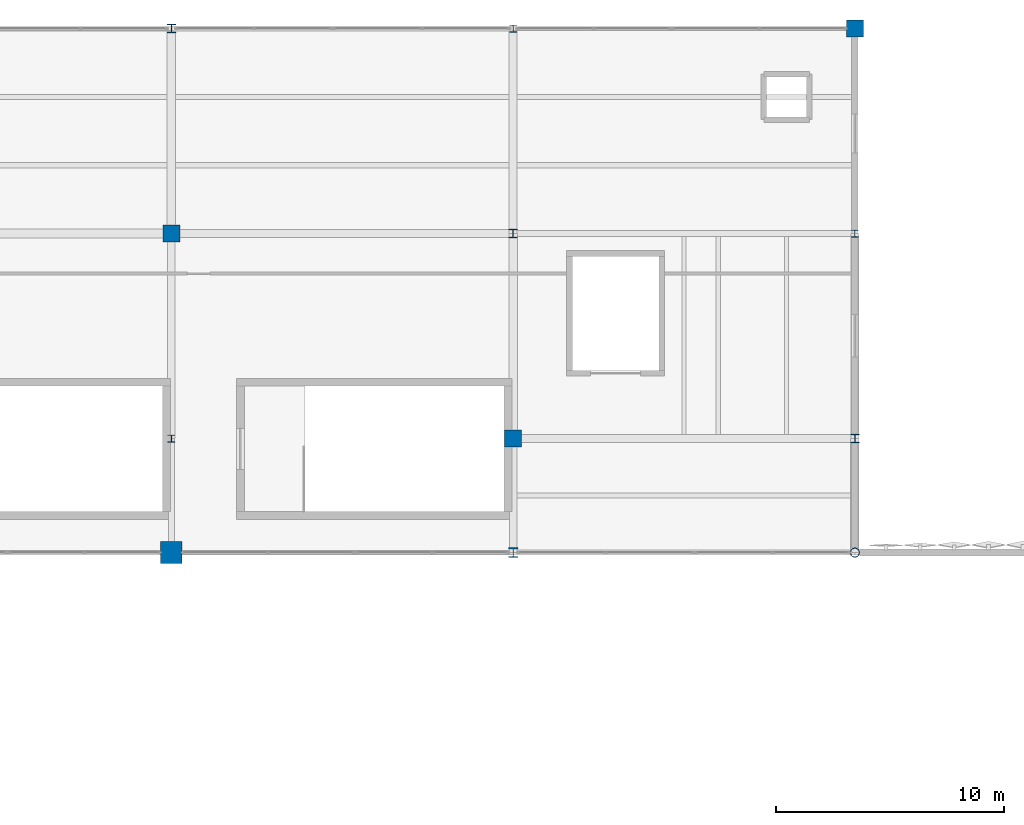
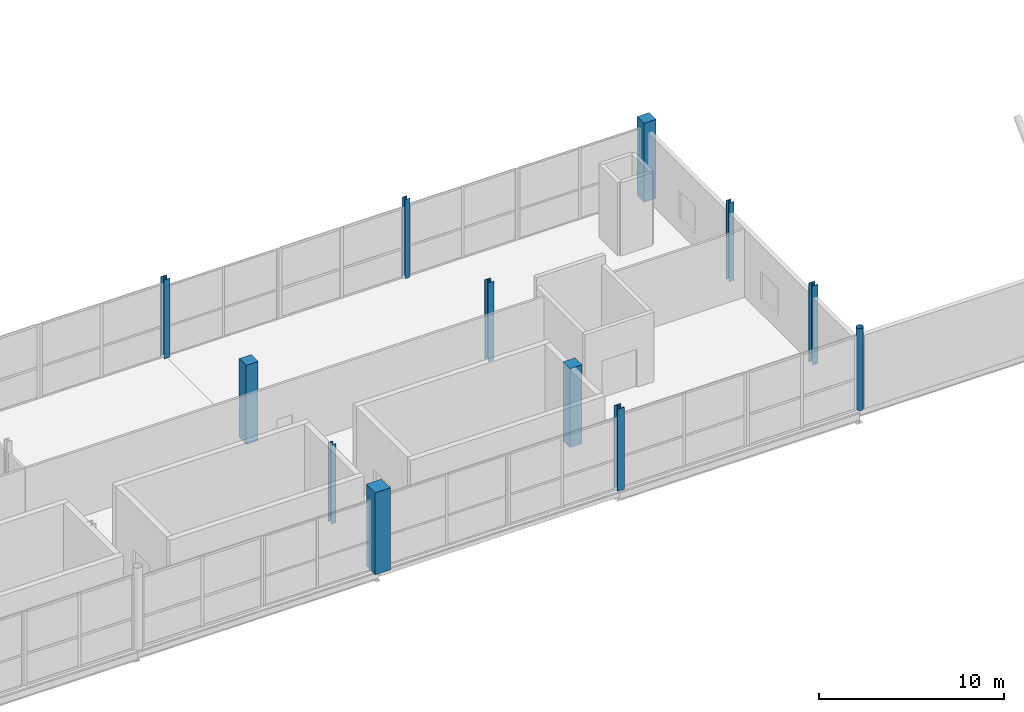
# One storey, part 9 of 119: 12 columns.
"""IFC4 building model written with IfcOpenShell, lengths in metres."""

import ifcopenshell
import ifcopenshell.guid

model = None  # the IFC model being written
_history = None  # IfcOwnerHistory: only IFC2X3 demands one
_inside = {}  # id of a spatial element -> (the spatial element, [elements in it])
_under = {}  # id of a project, library or spatial element -> (it, [spatial elements below it])
_declared = {}  # id of a project -> (the project, [libraries it declares])
_typed = {}  # id of a type object -> (the type object, [elements of that type])
_made_of = {}  # id of a material, layer set ... -> (it, [elements and type objects made of it])


def new_model(schema):
    """Start an empty IFC model of exactly this schema.

    Asked for "IFC4X3", IfcOpenShell would pick the latest addendum, in which some entities
    have other attributes; the version numbers below select the first issue.
    IFC2X3 requires an IfcOwnerHistory on every rooted entity: one is made here for all.
    """
    global model, _history
    if schema == "IFC4X3":
        model = ifcopenshell.file(schema_version=(4, 3, 0, 0))
    else:
        model = ifcopenshell.file(schema=schema)
    _inside.clear()
    _under.clear()
    _declared.clear()
    _typed.clear()
    _made_of.clear()
    _history = None
    if model.schema == "IFC2X3":
        org = make("IfcOrganization", Name="unknown")
        user = make(
            "IfcPersonAndOrganization",
            ThePerson=make("IfcPerson", FamilyName="unknown"),
            TheOrganization=org,
        )
        app = make(
            "IfcApplication",
            ApplicationDeveloper=org,
            Version="unknown",
            ApplicationFullName="unknown",
            ApplicationIdentifier="unknown",
        )
        _history = make(
            "IfcOwnerHistory",
            OwningUser=user,
            OwningApplication=app,
            ChangeAction="ADDED",
            CreationDate=0,
        )
    return model


def make(cls, **values):
    """One entity of the class cls with the attributes given. An attribute that is None is left unset."""
    return model.create_entity(
        cls, **{name: value for name, value in values.items() if value is not None}
    )


def rooted(cls, **values):
    """An entity with a GlobalId (a new one), such as an element, a storey or a relation."""
    return make(cls, GlobalId=ifcopenshell.guid.new(), OwnerHistory=_history, **values)


def si_unit(unit_type, name, prefix=None):
    """IfcSIUnit, for example si_unit("LENGTHUNIT", "METRE", prefix="MILLI")."""
    return make("IfcSIUnit", UnitType=unit_type, Prefix=prefix, Name=name)


def assignment(units):
    """IfcUnitAssignment: the units of a project."""
    return None if units is None else make("IfcUnitAssignment", Units=units)


def point(xyz):
    """IfcCartesianPoint."""
    return None if xyz is None else make("IfcCartesianPoint", Coordinates=xyz)


def direction(xyz):
    """IfcDirection."""
    return None if xyz is None else make("IfcDirection", DirectionRatios=xyz)


def frame(location, z_axis=None, x_axis=None):
    """IfcAxis2Placement3D, a coordinate frame: its origin and axes. An axis left out is left unset."""
    return make(
        "IfcAxis2Placement3D",
        Location=point(location),
        Axis=direction(z_axis),
        RefDirection=direction(x_axis),
    )


def frame_2d(location, x_axis=None):
    """IfcAxis2Placement2D, a coordinate frame in the plane: its origin and x axis."""
    return make(
        "IfcAxis2Placement2D", Location=point(location), RefDirection=direction(x_axis)
    )


def origin():
    """The frame at (0, 0, 0) with its axes left unset."""
    return frame((0.0, 0.0, 0.0))


def origin_2d():
    """The frame at (0, 0) in the plane with its x axis left unset."""
    return frame_2d((0.0, 0.0))


def place(relative_to, where):
    """IfcLocalPlacement: puts the frame where relative to a parent placement (None: the world)."""
    return make(
        "IfcLocalPlacement", PlacementRelTo=relative_to, RelativePlacement=where
    )


def context(
    kind, dimensions, precision=None, world=None, true_north=None, identifier=None
):
    """IfcGeometricRepresentationContext, for example the 3D "Model" context."""
    return make(
        "IfcGeometricRepresentationContext",
        ContextIdentifier=identifier,
        ContextType=kind,
        CoordinateSpaceDimension=dimensions,
        Precision=precision,
        WorldCoordinateSystem=world,
        TrueNorth=true_north,
    )


def subcontext(parent, identifier, kind, view, scale=None):
    """IfcGeometricRepresentationSubContext, for example "Body" below "Model"."""
    return make(
        "IfcGeometricRepresentationSubContext",
        ContextIdentifier=identifier,
        ContextType=kind,
        ParentContext=parent,
        TargetScale=scale,
        TargetView=view,
    )


def project(units=None, contexts=None):
    """IfcProject with its units and contexts."""
    return rooted(
        "IfcProject",
        Name="project",
        RepresentationContexts=contexts,
        UnitsInContext=assignment(units),
    )


def spatial(cls, under=None, at=None, **own):
    """A site, building, storey or space (cls), placed at a placement, below another one or the project."""
    s = rooted(cls, ObjectPlacement=at, **own)
    if under is not None:
        _under.setdefault(under.id(), (under, []))[1].append(s)
    return s


def profile(cls, at=None, kind="AREA", **sizes):
    """A parametric profile (cls). Its sizes go by their IFC names, for example OverallWidth=200.0."""
    return make(cls, ProfileType=kind, Position=at, **sizes)


def rectangle(**sizes):
    """IfcRectangleProfileDef."""
    return profile("IfcRectangleProfileDef", **sizes)


def hollow_circle(**sizes):
    """IfcCircleHollowProfileDef."""
    return profile("IfcCircleHollowProfileDef", **sizes)


def i_section(**sizes):
    """IfcIShapeProfileDef."""
    return profile("IfcIShapeProfileDef", **sizes)


def extrude(swept, where, along, depth):
    """IfcExtrudedAreaSolid: the profile swept, set in the frame where, extruded along a direction by depth."""
    return make(
        "IfcExtrudedAreaSolid",
        SweptArea=swept,
        Position=where,
        ExtrudedDirection=direction(along),
        Depth=depth,
    )


def shape(context_of_items, identifier, shape_type, items):
    """IfcShapeRepresentation: the items that make up one representation, for example the "Body"."""
    return make(
        "IfcShapeRepresentation",
        ContextOfItems=context_of_items,
        RepresentationIdentifier=identifier,
        RepresentationType=shape_type,
        Items=items,
    )


def material(Name=None, Category=None):
    """IfcMaterial."""
    return make("IfcMaterial", Name=Name, Category=Category)


def material_profile(
    of_material, cross_section, Name=None, Category=None, Priority=None
):
    """IfcMaterialProfile: a cross section and its material."""
    return make(
        "IfcMaterialProfile",
        Name=Name,
        Material=of_material,
        Profile=cross_section,
        Priority=Priority,
        Category=Category,
    )


def profile_set(profiles, Name=None, composite=None):
    """IfcMaterialProfileSet."""
    return make(
        "IfcMaterialProfileSet",
        Name=Name,
        MaterialProfiles=profiles,
        CompositeProfile=composite,
    )


def made_of(thing, what):
    """Note that an element or type object is made of a material, layer set ...; save() writes the relation."""
    if what is not None:
        _made_of.setdefault(what.id(), (what, []))[1].append(thing)
    return thing


def type_object(cls, material=None, **own):
    """A type object (cls), such as IfcWallType, which elements share."""
    return made_of(rooted(cls, **own), material)


def element(
    cls,
    number,
    at=None,
    inside=None,
    cuts=None,
    type_object=None,
    material=None,
    context=None,
    identifier="Body",
    shape_type=None,
    held_by="IfcProductDefinitionShape",
    body=None,
    shapes=None,
    **own,
):
    """One element of the class cls, such as IfcWall. Its Tag is "e" and its number.

    at: its placement. inside: the storey or other place that contains it. cuts: it is an
    opening in that element (IfcRelVoidsElement). A single representation is given by context,
    identifier, shape_type and body (its items); several are given by shapes. held_by: the class
    of the entity that holds the representations. save() writes the other relations.
    """
    e = rooted(cls, Tag="e%d" % number, ObjectPlacement=at, **own)
    if body is not None:
        shapes = [shape(context, identifier, shape_type, body)]
    if shapes is not None:
        e.Representation = make(held_by, Representations=shapes)
    if inside is not None:
        _inside.setdefault(inside.id(), (inside, []))[1].append(e)
    if cuts is not None:
        rooted(
            "IfcRelVoidsElement", RelatingBuildingElement=cuts, RelatedOpeningElement=e
        )
    if type_object is not None:
        _typed.setdefault(type_object.id(), (type_object, []))[1].append(e)
    return made_of(e, material)


def aggregate(whole, parts):
    """IfcRelAggregates: a whole, such as a stair, and the parts it consists of."""
    return rooted("IfcRelAggregates", RelatingObject=whole, RelatedObjects=parts)


def save(model, path):
    """Write the relations noted so far, then the file.

    IfcRelAggregates (storeys below a building ...), IfcRelContainedInSpatialStructure (elements
    in a storey), IfcRelDefinesByType, IfcRelAssociatesMaterial and IfcRelDeclares: one each for
    every whole, place, type object, material and project.
    """
    for whole, parts in _under.values():
        aggregate(whole, parts)
    for where, things in _inside.values():
        rooted(
            "IfcRelContainedInSpatialStructure",
            RelatedElements=things,
            RelatingStructure=where,
        )
    for kind, things in _typed.values():
        rooted("IfcRelDefinesByType", RelatedObjects=things, RelatingType=kind)
    for what, things in _made_of.values():
        rooted("IfcRelAssociatesMaterial", RelatedObjects=things, RelatingMaterial=what)
    for by, libraries in _declared.values():
        rooted("IfcRelDeclares", RelatingContext=by, RelatedDefinitions=libraries)
    model.write(path)


model = new_model("IFC4")

# Units and contexts
model_context = context("Model", 3, precision=1e-05, world=origin(), true_north=direction((0.0, 1.0)))
body_context = subcontext(model_context, "Body", "Model", "MODEL_VIEW")
ifc_project = project(units=[si_unit("LENGTHUNIT", "METRE"), si_unit("AREAUNIT", "SQUARE_METRE"), si_unit("VOLUMEUNIT", "CUBIC_METRE"), si_unit("PLANEANGLEUNIT", "RADIAN"), si_unit("MASSUNIT", "GRAM", prefix="KILO")], contexts=[model_context])

# Site, building, storey
site_placement = place(None, origin())
site = spatial("IfcSite", under=ifc_project, at=site_placement, CompositionType="ELEMENT")
building_placement = place(site_placement, origin())
building = spatial("IfcBuilding", under=site, at=building_placement, Name="Qamarlyn Nura Convention Centre", CompositionType="ELEMENT")
storey_placement = place(building_placement, frame((0.0, 0.0, 5.39990234375)))
storey = spatial("IfcBuildingStorey", under=building, at=storey_placement, Name="L01", CompositionType="ELEMENT", Elevation=5.39990234375)

# Columns
ifc_material_1 = material(Name="Concrete C50/60", Category="concrete")
ifc_material_profile_1 = material_profile(ifc_material_1, rectangle(XDim=0.949951171875, YDim=0.949951171875, at=origin_2d()), Name="RC 950x950")
ifc_profile_set_1 = profile_set([ifc_material_profile_1], Name="Concrete C50/60")
column_type_1 = type_object("IfcColumnType", Name="COL-HALL-2", PredefinedType="COLUMN", material=ifc_profile_set_1)
column_1_placement = place(storey_placement, frame((60.0, 103.0, 0.0), z_axis=(0.0, 0.0, 1.0), x_axis=(1.0, 0.0, 0.0)))
element("IfcColumn", 1, at=column_1_placement, inside=storey, type_object=column_type_1, Name="L01 column 5/M", PredefinedType="COLUMN", context=body_context, shape_type="SweptSolid", body=[
    extrude(rectangle(XDim=0.949951171875, YDim=0.949951171875, at=origin_2d()), origin(), (0.0, 0.0, 1.0), 5.400146484375),
])
ifc_material_2 = material(Name="Steel ASTM A992", Category="steel")
ifc_material_profile_2 = material_profile(ifc_material_2, i_section(OverallWidth=0.408935546875, OverallDepth=0.425048828125, WebThickness=0.030517578125, FlangeThickness=0.049072265625, FilletRadius=0.02001953125, at=origin_2d()), Name="W360X421")
ifc_profile_set_2 = profile_set([ifc_material_profile_2], Name="Steel ASTM A992")
column_type_2 = type_object("IfcColumnType", Name="COL-MEGA-1", PredefinedType="COLUMN", material=ifc_profile_set_2)
column_2_placement = place(storey_placement, frame((75.0, 103.0, 0.0), z_axis=(0.0, 0.0, 1.0), x_axis=(1.0, 0.0, 0.0)))
element("IfcColumn", 2, at=column_2_placement, inside=storey, type_object=column_type_2, Name="L01 column 6/M", PredefinedType="COLUMN", context=body_context, shape_type="SweptSolid", body=[
    extrude(i_section(OverallWidth=0.408935546875, OverallDepth=0.425048828125, WebThickness=0.030517578125, FlangeThickness=0.049072265625, FilletRadius=0.02001953125, at=origin_2d()), origin(), (0.0, 0.0, 1.0), 5.400146484375),
])
ifc_material_profile_3 = material_profile(ifc_material_1, rectangle(XDim=0.75, YDim=0.75, at=origin_2d()), Name="RC 750x750")
ifc_profile_set_3 = profile_set([ifc_material_profile_3], Name="Concrete C50/60")
column_type_3 = type_object("IfcColumnType", Name="COL-SUB-2", PredefinedType="COLUMN", material=ifc_profile_set_3)
for number, where, z_axis, x_axis, name in (
    (3, (60.0, 117.0, 0.0), (0.0, 0.0, 1.0), (1.0, 0.0, 0.0), "L01 column 5/P"),
    (4, (75.0, 108.0, 0.0), (0.0, 0.0, 1.0), (1.0, 0.0, 0.0), "L01 column 6/N"),
    (5, (90.0, 126.0, 0.0), (0.0, 0.0, 1.0), (1.0, 0.0, 0.0), "L01 column 7/Q"),
):
    element("IfcColumn", number, at=place(storey_placement, frame(where, z_axis=z_axis, x_axis=x_axis)), inside=storey, type_object=column_type_3, Name=name, PredefinedType="COLUMN", context=body_context, shape_type="SweptSolid", body=[
        extrude(rectangle(XDim=0.75, YDim=0.75, at=origin_2d()), origin(), (0.0, 0.0, 1.0), 5.205078125),
    ])
ifc_material_3 = material(Name="Pearl-white PVDF steel ASTM A500 Grade C", Category="steel")
ifc_material_profile_4 = material_profile(ifc_material_3, hollow_circle(Radius=0.203125, WallThickness=0.01611328125, at=origin_2d()), Name="CHS406.4X16")
ifc_profile_set_4 = profile_set([ifc_material_profile_4], Name="Pearl-white PVDF steel ASTM A500 Grade C")
column_type_4 = type_object("IfcColumnType", Name="COL-TUBE-1", PredefinedType="COLUMN", material=ifc_profile_set_4)
column_3_placement = place(storey_placement, frame((90.0, 103.0, 0.0), z_axis=(0.0, 0.0, 1.0), x_axis=(1.0, 0.0, 0.0)))
element("IfcColumn", 6, at=column_3_placement, inside=storey, type_object=column_type_4, Name="L01 column 7/M", PredefinedType="COLUMN", context=body_context, shape_type="SweptSolid", body=[
    extrude(hollow_circle(Radius=0.203125, WallThickness=0.01611328125, at=origin_2d()), origin(), (0.0, 0.0, 1.0), 5.400146484375),
])
ifc_material_profile_5 = material_profile(ifc_material_2, i_section(OverallWidth=0.3740234375, OverallDepth=0.3720703125, WebThickness=0.016357421875, FlangeThickness=0.026123046875, FilletRadius=0.01611328125, at=origin_2d()), Name="W360X196")
ifc_profile_set_5 = profile_set([ifc_material_profile_5], Name="Steel ASTM A992")
column_type_5 = type_object("IfcColumnType", Name="COL-WING-2", PredefinedType="COLUMN", material=ifc_profile_set_5)
for number, where, z_axis, x_axis, name in (
    (7, (60.0, 126.0, 0.0), (0.0, 0.0, 1.0), (1.0, 0.0, 0.0), "L01 column 5/Q"),
    (8, (75.0, 117.0, 0.0), (0.0, 0.0, 1.0), (1.0, 0.0, 0.0), "L01 column 6/P"),
    (9, (90.0, 108.0, 0.0), (0.0, 0.0, 1.0), (1.0, 0.0, 0.0), "L01 column 7/N"),
):
    element("IfcColumn", number, at=place(storey_placement, frame(where, z_axis=z_axis, x_axis=x_axis)), inside=storey, type_object=column_type_5, Name=name, PredefinedType="COLUMN", context=body_context, shape_type="SweptSolid", body=[
        extrude(i_section(OverallWidth=0.3740234375, OverallDepth=0.3720703125, WebThickness=0.016357421875, FlangeThickness=0.026123046875, FilletRadius=0.01611328125, at=origin_2d()), origin(), (0.0, 0.0, 1.0), 5.205078125),
    ])
ifc_material_profile_6 = material_profile(ifc_material_2, i_section(OverallWidth=0.304931640625, OverallDepth=0.30810546875, WebThickness=0.010009765625, FlangeThickness=0.015380859375, FilletRadius=0.014892578125, at=origin_2d()), Name="W310X97")
ifc_profile_set_6 = profile_set([ifc_material_profile_6], Name="Steel ASTM A992")
column_type_6 = type_object("IfcColumnType", Name="COL-WING-4", PredefinedType="COLUMN", material=ifc_profile_set_6)
for number, where, z_axis, x_axis, name in (
    (10, (60.0, 108.0, 0.0), (0.0, 0.0, 1.0), (1.0, 0.0, 0.0), "L01 column 5/N"),
    (11, (75.0, 126.0, 0.0), (0.0, 0.0, 1.0), (1.0, 0.0, 0.0), "L01 column 6/Q"),
    (12, (90.0, 117.0, 0.0), (0.0, 0.0, 1.0), (1.0, 0.0, 0.0), "L01 column 7/P"),
):
    element("IfcColumn", number, at=place(storey_placement, frame(where, z_axis=z_axis, x_axis=x_axis)), inside=storey, type_object=column_type_6, Name=name, PredefinedType="COLUMN", context=body_context, shape_type="SweptSolid", body=[
        extrude(i_section(OverallWidth=0.304931640625, OverallDepth=0.30810546875, WebThickness=0.010009765625, FlangeThickness=0.015380859375, FilletRadius=0.014892578125, at=origin_2d()), origin(), (0.0, 0.0, 1.0), 5.205078125),
    ])

save(model, "model.ifc")
